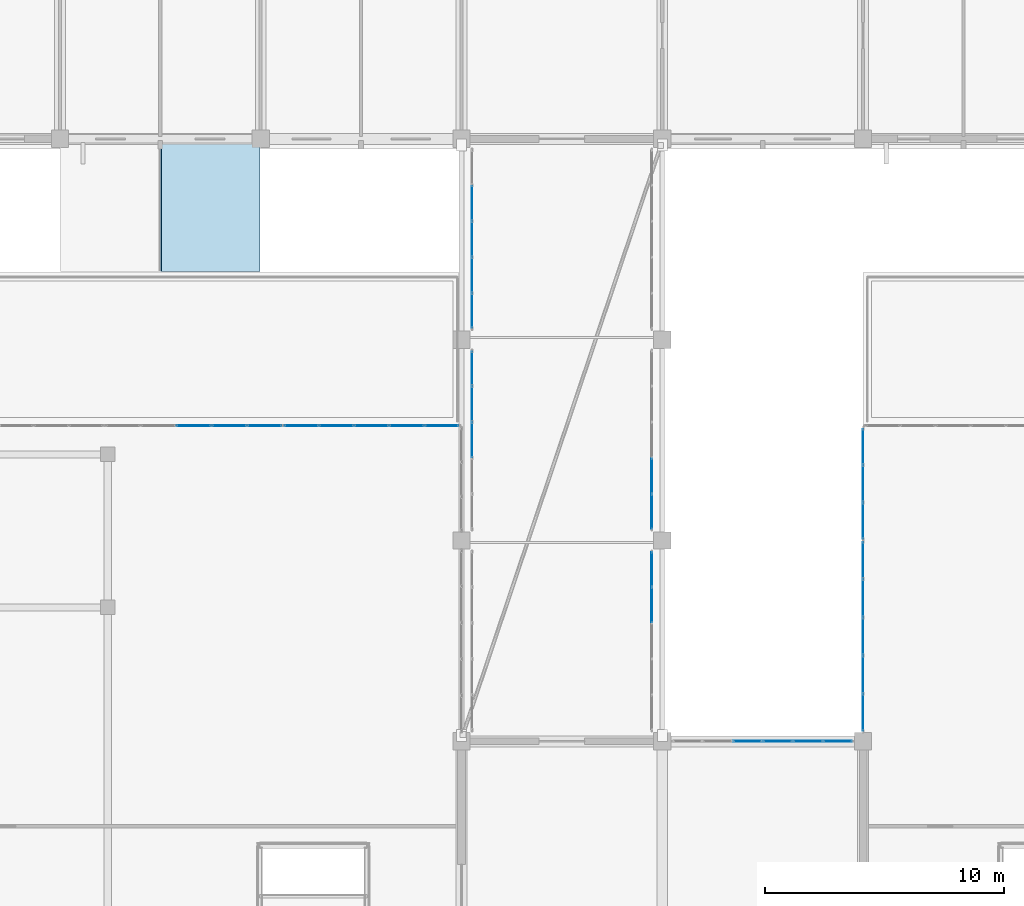
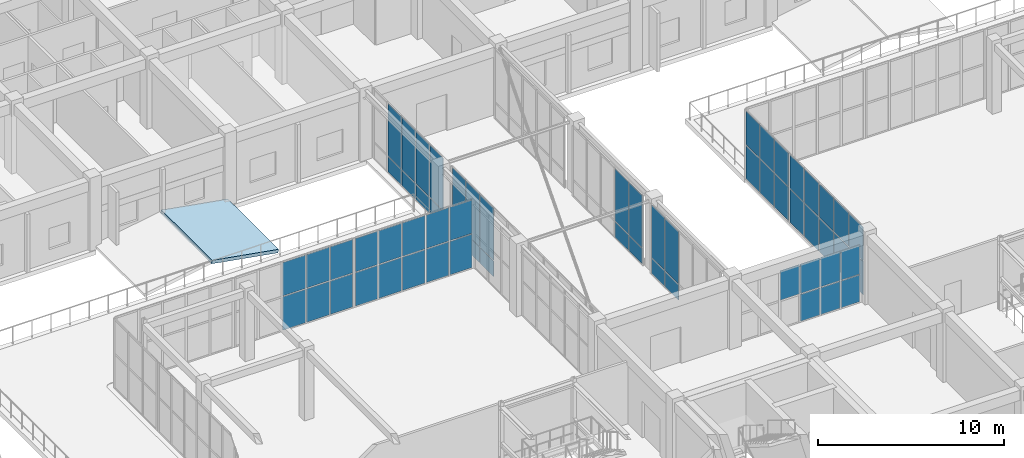
# One storey, part 108 of 158: 61 plates, 1 slab, 9 elements without a shape of their own.
"""IFC4 building model written with IfcOpenShell, lengths in metres."""

import ifcopenshell
import ifcopenshell.guid

model = None  # the IFC model being written
_history = None  # IfcOwnerHistory: only IFC2X3 demands one
_inside = {}  # id of a spatial element -> (the spatial element, [elements in it])
_under = {}  # id of a project, library or spatial element -> (it, [spatial elements below it])
_declared = {}  # id of a project -> (the project, [libraries it declares])
_typed = {}  # id of a type object -> (the type object, [elements of that type])
_made_of = {}  # id of a material, layer set ... -> (it, [elements and type objects made of it])


def new_model(schema):
    """Start an empty IFC model of exactly this schema.

    Asked for "IFC4X3", IfcOpenShell would pick the latest addendum, in which some entities
    have other attributes; the version numbers below select the first issue.
    IFC2X3 requires an IfcOwnerHistory on every rooted entity: one is made here for all.
    """
    global model, _history
    if schema == "IFC4X3":
        model = ifcopenshell.file(schema_version=(4, 3, 0, 0))
    else:
        model = ifcopenshell.file(schema=schema)
    _inside.clear()
    _under.clear()
    _declared.clear()
    _typed.clear()
    _made_of.clear()
    _history = None
    if model.schema == "IFC2X3":
        org = make("IfcOrganization", Name="unknown")
        user = make(
            "IfcPersonAndOrganization",
            ThePerson=make("IfcPerson", FamilyName="unknown"),
            TheOrganization=org,
        )
        app = make(
            "IfcApplication",
            ApplicationDeveloper=org,
            Version="unknown",
            ApplicationFullName="unknown",
            ApplicationIdentifier="unknown",
        )
        _history = make(
            "IfcOwnerHistory",
            OwningUser=user,
            OwningApplication=app,
            ChangeAction="ADDED",
            CreationDate=0,
        )
    return model


def make(cls, **values):
    """One entity of the class cls with the attributes given. An attribute that is None is left unset."""
    return model.create_entity(
        cls, **{name: value for name, value in values.items() if value is not None}
    )


def rooted(cls, **values):
    """An entity with a GlobalId (a new one), such as an element, a storey or a relation."""
    return make(cls, GlobalId=ifcopenshell.guid.new(), OwnerHistory=_history, **values)


def si_unit(unit_type, name, prefix=None):
    """IfcSIUnit, for example si_unit("LENGTHUNIT", "METRE", prefix="MILLI")."""
    return make("IfcSIUnit", UnitType=unit_type, Prefix=prefix, Name=name)


def assignment(units):
    """IfcUnitAssignment: the units of a project."""
    return None if units is None else make("IfcUnitAssignment", Units=units)


def point(xyz):
    """IfcCartesianPoint."""
    return None if xyz is None else make("IfcCartesianPoint", Coordinates=xyz)


def direction(xyz):
    """IfcDirection."""
    return None if xyz is None else make("IfcDirection", DirectionRatios=xyz)


def frame(location, z_axis=None, x_axis=None):
    """IfcAxis2Placement3D, a coordinate frame: its origin and axes. An axis left out is left unset."""
    return make(
        "IfcAxis2Placement3D",
        Location=point(location),
        Axis=direction(z_axis),
        RefDirection=direction(x_axis),
    )


def frame_2d(location, x_axis=None):
    """IfcAxis2Placement2D, a coordinate frame in the plane: its origin and x axis."""
    return make(
        "IfcAxis2Placement2D", Location=point(location), RefDirection=direction(x_axis)
    )


def origin():
    """The frame at (0, 0, 0) with its axes left unset."""
    return frame((0.0, 0.0, 0.0))


def origin_2d():
    """The frame at (0, 0) in the plane with its x axis left unset."""
    return frame_2d((0.0, 0.0))


def place(relative_to, where):
    """IfcLocalPlacement: puts the frame where relative to a parent placement (None: the world)."""
    return make(
        "IfcLocalPlacement", PlacementRelTo=relative_to, RelativePlacement=where
    )


def context(
    kind, dimensions, precision=None, world=None, true_north=None, identifier=None
):
    """IfcGeometricRepresentationContext, for example the 3D "Model" context."""
    return make(
        "IfcGeometricRepresentationContext",
        ContextIdentifier=identifier,
        ContextType=kind,
        CoordinateSpaceDimension=dimensions,
        Precision=precision,
        WorldCoordinateSystem=world,
        TrueNorth=true_north,
    )


def subcontext(parent, identifier, kind, view, scale=None):
    """IfcGeometricRepresentationSubContext, for example "Body" below "Model"."""
    return make(
        "IfcGeometricRepresentationSubContext",
        ContextIdentifier=identifier,
        ContextType=kind,
        ParentContext=parent,
        TargetScale=scale,
        TargetView=view,
    )


def project(units=None, contexts=None):
    """IfcProject with its units and contexts."""
    return rooted(
        "IfcProject",
        Name="project",
        RepresentationContexts=contexts,
        UnitsInContext=assignment(units),
    )


def spatial(cls, under=None, at=None, **own):
    """A site, building, storey or space (cls), placed at a placement, below another one or the project."""
    s = rooted(cls, ObjectPlacement=at, **own)
    if under is not None:
        _under.setdefault(under.id(), (under, []))[1].append(s)
    return s


def polyline(points):
    """IfcPolyline through the points."""
    return make("IfcPolyline", Points=[point(p) for p in points])


def profile(cls, at=None, kind="AREA", **sizes):
    """A parametric profile (cls). Its sizes go by their IFC names, for example OverallWidth=200.0."""
    return make(cls, ProfileType=kind, Position=at, **sizes)


def rectangle(**sizes):
    """IfcRectangleProfileDef."""
    return profile("IfcRectangleProfileDef", **sizes)


def outline(outer, holes=None, kind="AREA"):
    """IfcArbitraryClosedProfileDef: a profile drawn as a closed curve; with holes, ...WithVoids."""
    if holes is None:
        return make("IfcArbitraryClosedProfileDef", ProfileType=kind, OuterCurve=outer)
    return make(
        "IfcArbitraryProfileDefWithVoids",
        ProfileType=kind,
        OuterCurve=outer,
        InnerCurves=holes,
    )


def extrude(swept, where, along, depth):
    """IfcExtrudedAreaSolid: the profile swept, set in the frame where, extruded along a direction by depth."""
    return make(
        "IfcExtrudedAreaSolid",
        SweptArea=swept,
        Position=where,
        ExtrudedDirection=direction(along),
        Depth=depth,
    )


def shape(context_of_items, identifier, shape_type, items):
    """IfcShapeRepresentation: the items that make up one representation, for example the "Body"."""
    return make(
        "IfcShapeRepresentation",
        ContextOfItems=context_of_items,
        RepresentationIdentifier=identifier,
        RepresentationType=shape_type,
        Items=items,
    )


def material(Name=None, Category=None):
    """IfcMaterial."""
    return make("IfcMaterial", Name=Name, Category=Category)


def layer(
    of_material, thickness, ventilated=None, Name=None, Category=None, Priority=None
):
    """IfcMaterialLayer: one layer of a wall or slab, of a material (None: an air gap)."""
    return make(
        "IfcMaterialLayer",
        Material=of_material,
        LayerThickness=thickness,
        IsVentilated=ventilated,
        Name=Name,
        Category=Category,
        Priority=Priority,
    )


def layer_set(layers, Name=None):
    """IfcMaterialLayerSet."""
    return make("IfcMaterialLayerSet", MaterialLayers=layers, LayerSetName=Name)


def made_of(thing, what):
    """Note that an element or type object is made of a material, layer set ...; save() writes the relation."""
    if what is not None:
        _made_of.setdefault(what.id(), (what, []))[1].append(thing)
    return thing


def type_object(cls, material=None, **own):
    """A type object (cls), such as IfcWallType, which elements share."""
    return made_of(rooted(cls, **own), material)


def element(
    cls,
    number,
    at=None,
    inside=None,
    cuts=None,
    type_object=None,
    material=None,
    context=None,
    identifier="Body",
    shape_type=None,
    held_by="IfcProductDefinitionShape",
    body=None,
    shapes=None,
    **own,
):
    """One element of the class cls, such as IfcWall. Its Tag is "e" and its number.

    at: its placement. inside: the storey or other place that contains it. cuts: it is an
    opening in that element (IfcRelVoidsElement). A single representation is given by context,
    identifier, shape_type and body (its items); several are given by shapes. held_by: the class
    of the entity that holds the representations. save() writes the other relations.
    """
    e = rooted(cls, Tag="e%d" % number, ObjectPlacement=at, **own)
    if body is not None:
        shapes = [shape(context, identifier, shape_type, body)]
    if shapes is not None:
        e.Representation = make(held_by, Representations=shapes)
    if inside is not None:
        _inside.setdefault(inside.id(), (inside, []))[1].append(e)
    if cuts is not None:
        rooted(
            "IfcRelVoidsElement", RelatingBuildingElement=cuts, RelatedOpeningElement=e
        )
    if type_object is not None:
        _typed.setdefault(type_object.id(), (type_object, []))[1].append(e)
    return made_of(e, material)


def aggregate(whole, parts):
    """IfcRelAggregates: a whole, such as a stair, and the parts it consists of."""
    return rooted("IfcRelAggregates", RelatingObject=whole, RelatedObjects=parts)


def save(model, path):
    """Write the relations noted so far, then the file.

    IfcRelAggregates (storeys below a building ...), IfcRelContainedInSpatialStructure (elements
    in a storey), IfcRelDefinesByType, IfcRelAssociatesMaterial and IfcRelDeclares: one each for
    every whole, place, type object, material and project.
    """
    for whole, parts in _under.values():
        aggregate(whole, parts)
    for where, things in _inside.values():
        rooted(
            "IfcRelContainedInSpatialStructure",
            RelatedElements=things,
            RelatingStructure=where,
        )
    for kind, things in _typed.values():
        rooted("IfcRelDefinesByType", RelatedObjects=things, RelatingType=kind)
    for what, things in _made_of.values():
        rooted("IfcRelAssociatesMaterial", RelatedObjects=things, RelatingMaterial=what)
    for by, libraries in _declared.values():
        rooted("IfcRelDeclares", RelatingContext=by, RelatedDefinitions=libraries)
    model.write(path)


model = new_model("IFC4")

# Units and contexts
model_context = context("Model", 3, precision=1e-05, world=origin(), true_north=direction((0.0, 1.0)))
body_context = subcontext(model_context, "Body", "Model", "MODEL_VIEW")
ifc_project = project(units=[si_unit("LENGTHUNIT", "METRE"), si_unit("AREAUNIT", "SQUARE_METRE"), si_unit("VOLUMEUNIT", "CUBIC_METRE"), si_unit("PLANEANGLEUNIT", "RADIAN"), si_unit("MASSUNIT", "GRAM", prefix="KILO")], contexts=[model_context])

# Site, building, storey
site_placement = place(None, origin())
site = spatial("IfcSite", under=ifc_project, at=site_placement, CompositionType="ELEMENT")
building_placement = place(site_placement, origin())
building = spatial("IfcBuilding", under=site, at=building_placement, Name="Trelvath General Hospital", CompositionType="ELEMENT")
storey_placement = place(building_placement, frame((0.0, 0.0, 8.10009765625)))
storey = spatial("IfcBuildingStorey", under=building, at=storey_placement, Name="L02", CompositionType="ELEMENT", Elevation=8.10009765625)

# Curtain wall, plates
ifc_material_1 = material(Name="Anodised aluminium and low-E glass", Category="aluminium")
ifc_layer_1 = layer(ifc_material_1, 0.139892578125)
ifc_layer_set_1 = layer_set([ifc_layer_1], Name="Anodised aluminium and low-E glass")
curtain_wall_type_1 = type_object("IfcCurtainWallType", Name="CW CrystalCube 743 456 14", PredefinedType="USERDEFINED", material=ifc_layer_set_1)
curtain_wall_1_placement = place(storey_placement, origin())
curtain_wall_1 = element("IfcCurtainWall", 1, at=curtain_wall_1_placement, inside=storey, type_object=curtain_wall_type_1, Name="Crystal Cube Curtain Wall CUBE-W-T1 N2 L02", ObjectType="Unitised Glazed Curtain Wall", PredefinedType="USERDEFINED")
ifc_material_2 = material(Name="Low-E laminated glass", Category="glass")
ifc_layer_2 = layer(ifc_material_2, 0.028076171875)
ifc_layer_set_2 = layer_set([ifc_layer_2], Name="Low-E laminated glass")
plate_type_1 = type_object("IfcPlateType", Name="CurtainPanel Glass28", PredefinedType="CURTAIN_PANEL", material=ifc_layer_set_2)
plate_1_placement = place(storey_placement, frame((64.39990234375, 80.39990234375, 0.059814453125), z_axis=(0.0, 0.0, 1.0), x_axis=(1.0, 0.0, 0.0)))
plate_1 = element("IfcPlate", 2, at=plate_1_placement, type_object=plate_type_1, Name="CW-194 panel 3.1", PredefinedType="CURTAIN_PANEL", context=body_context, shape_type="SweptSolid", body=[
    extrude(rectangle(XDim=1.42529296875, YDim=0.028076171875, at=origin_2d()), origin(), (0.0, 0.0, 1.0), 2.18994140625),
])
plate_2_placement = place(storey_placement, frame((64.39990234375, 80.39990234375, 2.309814453125), z_axis=(0.0, 0.0, 1.0), x_axis=(1.0, 0.0, 0.0)))
plate_2 = element("IfcPlate", 3, at=plate_2_placement, type_object=plate_type_1, Name="CW-194 panel 3.2", PredefinedType="CURTAIN_PANEL", context=body_context, shape_type="SweptSolid", body=[
    extrude(rectangle(XDim=1.42529296875, YDim=0.028076171875, at=origin_2d()), origin(), (0.0, 0.0, 1.0), 2.18994140625),
])
plate_3_placement = place(storey_placement, frame((65.88525390625, 80.39990234375, 0.059814453125), z_axis=(0.0, 0.0, 1.0), x_axis=(1.0, 0.0, 0.0)))
plate_3 = element("IfcPlate", 4, at=plate_3_placement, type_object=plate_type_1, Name="CW-194 panel 4.1", PredefinedType="CURTAIN_PANEL", context=body_context, shape_type="SweptSolid", body=[
    extrude(rectangle(XDim=1.42529296875, YDim=0.028076171875, at=origin_2d()), origin(), (0.0, 0.0, 1.0), 2.18994140625),
])
plate_4_placement = place(storey_placement, frame((65.88525390625, 80.39990234375, 2.309814453125), z_axis=(0.0, 0.0, 1.0), x_axis=(1.0, 0.0, 0.0)))
plate_4 = element("IfcPlate", 5, at=plate_4_placement, type_object=plate_type_1, Name="CW-194 panel 4.2", PredefinedType="CURTAIN_PANEL", context=body_context, shape_type="SweptSolid", body=[
    extrude(rectangle(XDim=1.42529296875, YDim=0.028076171875, at=origin_2d()), origin(), (0.0, 0.0, 1.0), 2.18994140625),
])
plate_5_placement = place(storey_placement, frame((67.355712890625, 80.39990234375, 0.059814453125), z_axis=(0.0, 0.0, 1.0), x_axis=(1.0, 0.0, 0.0)))
plate_5 = element("IfcPlate", 6, at=plate_5_placement, type_object=plate_type_1, Name="CW-194 panel 5.1", PredefinedType="CURTAIN_PANEL", context=body_context, shape_type="SweptSolid", body=[
    extrude(rectangle(XDim=1.395263671875, YDim=0.028076171875, at=origin_2d()), origin(), (0.0, 0.0, 1.0), 2.18994140625),
])
plate_6_placement = place(storey_placement, frame((67.355712890625, 80.39990234375, 2.309814453125), z_axis=(0.0, 0.0, 1.0), x_axis=(1.0, 0.0, 0.0)))
plate_6 = element("IfcPlate", 7, at=plate_6_placement, type_object=plate_type_1, Name="CW-194 panel 5.2", PredefinedType="CURTAIN_PANEL", context=body_context, shape_type="SweptSolid", body=[
    extrude(rectangle(XDim=1.395263671875, YDim=0.028076171875, at=origin_2d()), origin(), (0.0, 0.0, 1.0), 2.18994140625),
])
aggregate(curtain_wall_1, [plate_1, plate_2, plate_3, plate_4, plate_5, plate_6])

ifc_material_3 = material(Name="Anodised aluminium and low-E glass", Category="aluminium")
ifc_layer_3 = layer(ifc_material_3, 0.139892578125)
ifc_layer_set_3 = layer_set([ifc_layer_3], Name="Anodised aluminium and low-E glass")
curtain_wall_type_2 = type_object("IfcCurtainWallType", Name="CW CrystalCube 737 456 14", PredefinedType="USERDEFINED", material=ifc_layer_set_3)
curtain_wall_2_placement = place(storey_placement, origin())
curtain_wall_2 = element("IfcCurtainWall", 8, at=curtain_wall_2_placement, inside=storey, type_object=curtain_wall_type_2, Name="Crystal Cube Curtain Wall CUBE-W-T1 N3 L02", ObjectType="Unitised Glazed Curtain Wall", PredefinedType="USERDEFINED")
plate_7_placement = place(storey_placement, frame((68.905029296875, 80.39990234375, 0.059814453125), z_axis=(0.0, 0.0, 1.0), x_axis=(1.0, 0.0, 0.0)))
plate_7 = element("IfcPlate", 9, at=plate_7_placement, type_object=plate_type_1, Name="CW-195 panel 1.1", PredefinedType="CURTAIN_PANEL", context=body_context, shape_type="SweptSolid", body=[
    extrude(rectangle(XDim=1.38330078125, YDim=0.028076171875, at=origin_2d()), origin(), (0.0, 0.0, 1.0), 2.18994140625),
])
plate_8_placement = place(storey_placement, frame((68.905029296875, 80.39990234375, 2.309814453125), z_axis=(0.0, 0.0, 1.0), x_axis=(1.0, 0.0, 0.0)))
plate_8 = element("IfcPlate", 10, at=plate_8_placement, type_object=plate_type_1, Name="CW-195 panel 1.2", PredefinedType="CURTAIN_PANEL", context=body_context, shape_type="SweptSolid", body=[
    extrude(rectangle(XDim=1.38330078125, YDim=0.028076171875, at=origin_2d()), origin(), (0.0, 0.0, 1.0), 2.18994140625),
])
plate_9_placement = place(storey_placement, frame((70.36328125, 80.39990234375, 0.059814453125), z_axis=(0.0, 0.0, 1.0), x_axis=(1.0, 0.0, 0.0)))
plate_9 = element("IfcPlate", 11, at=plate_9_placement, type_object=plate_type_1, Name="CW-195 panel 2.1", PredefinedType="CURTAIN_PANEL", context=body_context, shape_type="SweptSolid", body=[
    extrude(rectangle(XDim=1.413330078125, YDim=0.028076171875, at=origin_2d()), origin(), (0.0, 0.0, 1.0), 2.18994140625),
])
plate_10_placement = place(storey_placement, frame((70.36328125, 80.39990234375, 2.309814453125), z_axis=(0.0, 0.0, 1.0), x_axis=(1.0, 0.0, 0.0)))
plate_10 = element("IfcPlate", 12, at=plate_10_placement, type_object=plate_type_1, Name="CW-195 panel 2.2", PredefinedType="CURTAIN_PANEL", context=body_context, shape_type="SweptSolid", body=[
    extrude(rectangle(XDim=1.413330078125, YDim=0.028076171875, at=origin_2d()), origin(), (0.0, 0.0, 1.0), 2.18994140625),
])
plate_11_placement = place(storey_placement, frame((71.836669921875, 80.39990234375, 0.059814453125), z_axis=(0.0, 0.0, 1.0), x_axis=(1.0, 0.0, 0.0)))
plate_11 = element("IfcPlate", 13, at=plate_11_placement, type_object=plate_type_1, Name="CW-195 panel 3.1", PredefinedType="CURTAIN_PANEL", context=body_context, shape_type="SweptSolid", body=[
    extrude(rectangle(XDim=1.413330078125, YDim=0.028076171875, at=origin_2d()), origin(), (0.0, 0.0, 1.0), 2.18994140625),
])
plate_12_placement = place(storey_placement, frame((71.836669921875, 80.39990234375, 2.309814453125), z_axis=(0.0, 0.0, 1.0), x_axis=(1.0, 0.0, 0.0)))
plate_12 = element("IfcPlate", 14, at=plate_12_placement, type_object=plate_type_1, Name="CW-195 panel 3.2", PredefinedType="CURTAIN_PANEL", context=body_context, shape_type="SweptSolid", body=[
    extrude(rectangle(XDim=1.413330078125, YDim=0.028076171875, at=origin_2d()), origin(), (0.0, 0.0, 1.0), 2.18994140625),
])
plate_13_placement = place(storey_placement, frame((73.31005859375, 80.39990234375, 0.059814453125), z_axis=(0.0, 0.0, 1.0), x_axis=(1.0, 0.0, 0.0)))
plate_13 = element("IfcPlate", 15, at=plate_13_placement, type_object=plate_type_1, Name="CW-195 panel 4.1", PredefinedType="CURTAIN_PANEL", context=body_context, shape_type="SweptSolid", body=[
    extrude(rectangle(XDim=1.413330078125, YDim=0.028076171875, at=origin_2d()), origin(), (0.0, 0.0, 1.0), 2.18994140625),
])
plate_14_placement = place(storey_placement, frame((73.31005859375, 80.39990234375, 2.309814453125), z_axis=(0.0, 0.0, 1.0), x_axis=(1.0, 0.0, 0.0)))
plate_14 = element("IfcPlate", 16, at=plate_14_placement, type_object=plate_type_1, Name="CW-195 panel 4.2", PredefinedType="CURTAIN_PANEL", context=body_context, shape_type="SweptSolid", body=[
    extrude(rectangle(XDim=1.413330078125, YDim=0.028076171875, at=origin_2d()), origin(), (0.0, 0.0, 1.0), 2.18994140625),
])
plate_15_placement = place(storey_placement, frame((74.768310546875, 80.39990234375, 0.059814453125), z_axis=(0.0, 0.0, 1.0), x_axis=(1.0, 0.0, 0.0)))
plate_15 = element("IfcPlate", 17, at=plate_15_placement, type_object=plate_type_1, Name="CW-195 panel 5.1", PredefinedType="CURTAIN_PANEL", context=body_context, shape_type="SweptSolid", body=[
    extrude(rectangle(XDim=1.38330078125, YDim=0.028076171875, at=origin_2d()), origin(), (0.0, 0.0, 1.0), 2.18994140625),
])
plate_16_placement = place(storey_placement, frame((74.768310546875, 80.39990234375, 2.309814453125), z_axis=(0.0, 0.0, 1.0), x_axis=(1.0, 0.0, 0.0)))
plate_16 = element("IfcPlate", 18, at=plate_16_placement, type_object=plate_type_1, Name="CW-195 panel 5.2", PredefinedType="CURTAIN_PANEL", context=body_context, shape_type="SweptSolid", body=[
    extrude(rectangle(XDim=1.38330078125, YDim=0.028076171875, at=origin_2d()), origin(), (0.0, 0.0, 1.0), 2.18994140625),
])
aggregate(curtain_wall_2, [plate_7, plate_8, plate_9, plate_10, plate_11, plate_12, plate_13, plate_14, plate_15, plate_16])

ifc_material_4 = material(Name="Anodised aluminium and low-E glass", Category="aluminium")
ifc_layer_4 = layer(ifc_material_4, 0.139892578125)
ifc_layer_set_4 = layer_set([ifc_layer_4], Name="Anodised aluminium and low-E glass")
curtain_wall_type_3 = type_object("IfcCurtainWallType", Name="CW CrystalCube 799 456 14", PredefinedType="USERDEFINED", material=ifc_layer_set_4)
curtain_wall_3_placement = place(storey_placement, origin())
curtain_wall_3 = element("IfcCurtainWall", 19, at=curtain_wall_3_placement, inside=storey, type_object=curtain_wall_type_3, Name="Crystal Cube Curtain Wall CUBE-E-T1 W6 L02", ObjectType="Unitised Glazed Curtain Wall", PredefinedType="USERDEFINED")
plate_17_placement = place(storey_placement, frame((92.39990234375, 68.404052734375, 0.059814453125), z_axis=(0.0, 0.0, 1.0), x_axis=(0.0, 1.0, 0.0)))
plate_17 = element("IfcPlate", 20, at=plate_17_placement, type_object=plate_type_1, Name="CW-217 panel 1.1", PredefinedType="CURTAIN_PANEL", context=body_context, shape_type="SweptSolid", body=[
    extrude(rectangle(XDim=1.508056640625, YDim=0.028076171875, at=origin_2d()), origin(), (0.0, 0.0, 1.0), 2.18994140625),
])
plate_18_placement = place(storey_placement, frame((92.39990234375, 68.404052734375, 2.309814453125), z_axis=(0.0, 0.0, 1.0), x_axis=(0.0, 1.0, 0.0)))
plate_18 = element("IfcPlate", 21, at=plate_18_placement, type_object=plate_type_1, Name="CW-217 panel 1.2", PredefinedType="CURTAIN_PANEL", context=body_context, shape_type="SweptSolid", body=[
    extrude(rectangle(XDim=1.508056640625, YDim=0.028076171875, at=origin_2d()), origin(), (0.0, 0.0, 1.0), 2.18994140625),
])
plate_19_placement = place(storey_placement, frame((92.39990234375, 69.987060546875, 0.059814453125), z_axis=(0.0, 0.0, 1.0), x_axis=(0.0, 1.0, 0.0)))
plate_19 = element("IfcPlate", 22, at=plate_19_placement, type_object=plate_type_1, Name="CW-217 panel 2.1", PredefinedType="CURTAIN_PANEL", context=body_context, shape_type="SweptSolid", body=[
    extrude(rectangle(XDim=1.5380859375, YDim=0.028076171875, at=origin_2d()), origin(), (0.0, 0.0, 1.0), 2.18994140625),
])
plate_20_placement = place(storey_placement, frame((92.39990234375, 69.987060546875, 2.309814453125), z_axis=(0.0, 0.0, 1.0), x_axis=(0.0, 1.0, 0.0)))
plate_20 = element("IfcPlate", 23, at=plate_20_placement, type_object=plate_type_1, Name="CW-217 panel 2.2", PredefinedType="CURTAIN_PANEL", context=body_context, shape_type="SweptSolid", body=[
    extrude(rectangle(XDim=1.5380859375, YDim=0.028076171875, at=origin_2d()), origin(), (0.0, 0.0, 1.0), 2.18994140625),
])
plate_21_placement = place(storey_placement, frame((92.39990234375, 71.5849609375, 0.059814453125), z_axis=(0.0, 0.0, 1.0), x_axis=(0.0, 1.0, 0.0)))
plate_21 = element("IfcPlate", 24, at=plate_21_placement, type_object=plate_type_1, Name="CW-217 panel 3.1", PredefinedType="CURTAIN_PANEL", context=body_context, shape_type="SweptSolid", body=[
    extrude(rectangle(XDim=1.5380859375, YDim=0.028076171875, at=origin_2d()), origin(), (0.0, 0.0, 1.0), 2.18994140625),
])
plate_22_placement = place(storey_placement, frame((92.39990234375, 71.5849609375, 2.309814453125), z_axis=(0.0, 0.0, 1.0), x_axis=(0.0, 1.0, 0.0)))
plate_22 = element("IfcPlate", 25, at=plate_22_placement, type_object=plate_type_1, Name="CW-217 panel 3.2", PredefinedType="CURTAIN_PANEL", context=body_context, shape_type="SweptSolid", body=[
    extrude(rectangle(XDim=1.5380859375, YDim=0.028076171875, at=origin_2d()), origin(), (0.0, 0.0, 1.0), 2.18994140625),
])
plate_23_placement = place(storey_placement, frame((92.39990234375, 73.18310546875, 0.059814453125), z_axis=(0.0, 0.0, 1.0), x_axis=(0.0, 1.0, 0.0)))
plate_23 = element("IfcPlate", 26, at=plate_23_placement, type_object=plate_type_1, Name="CW-217 panel 4.1", PredefinedType="CURTAIN_PANEL", context=body_context, shape_type="SweptSolid", body=[
    extrude(rectangle(XDim=1.5380859375, YDim=0.028076171875, at=origin_2d()), origin(), (0.0, 0.0, 1.0), 2.18994140625),
])
plate_24_placement = place(storey_placement, frame((92.39990234375, 73.18310546875, 2.309814453125), z_axis=(0.0, 0.0, 1.0), x_axis=(0.0, 1.0, 0.0)))
plate_24 = element("IfcPlate", 27, at=plate_24_placement, type_object=plate_type_1, Name="CW-217 panel 4.2", PredefinedType="CURTAIN_PANEL", context=body_context, shape_type="SweptSolid", body=[
    extrude(rectangle(XDim=1.5380859375, YDim=0.028076171875, at=origin_2d()), origin(), (0.0, 0.0, 1.0), 2.18994140625),
])
plate_25_placement = place(storey_placement, frame((92.39990234375, 74.76611328125, 0.059814453125), z_axis=(0.0, 0.0, 1.0), x_axis=(0.0, 1.0, 0.0)))
plate_25 = element("IfcPlate", 28, at=plate_25_placement, type_object=plate_type_1, Name="CW-217 panel 5.1", PredefinedType="CURTAIN_PANEL", context=body_context, shape_type="SweptSolid", body=[
    extrude(rectangle(XDim=1.508056640625, YDim=0.028076171875, at=origin_2d()), origin(), (0.0, 0.0, 1.0), 2.18994140625),
])
plate_26_placement = place(storey_placement, frame((92.39990234375, 74.76611328125, 2.309814453125), z_axis=(0.0, 0.0, 1.0), x_axis=(0.0, 1.0, 0.0)))
plate_26 = element("IfcPlate", 29, at=plate_26_placement, type_object=plate_type_1, Name="CW-217 panel 5.2", PredefinedType="CURTAIN_PANEL", context=body_context, shape_type="SweptSolid", body=[
    extrude(rectangle(XDim=1.508056640625, YDim=0.028076171875, at=origin_2d()), origin(), (0.0, 0.0, 1.0), 2.18994140625),
])
aggregate(curtain_wall_3, [plate_17, plate_18, plate_19, plate_20, plate_21, plate_22, plate_23, plate_24, plate_25, plate_26])

ifc_material_5 = material(Name="Anodised aluminium and low-E glass", Category="aluminium")
ifc_layer_5 = layer(ifc_material_5, 0.139892578125)
ifc_layer_set_5 = layer_set([ifc_layer_5], Name="Anodised aluminium and low-E glass")
curtain_wall_type_4 = type_object("IfcCurtainWallType", Name="CW CrystalCube 470 456 14", PredefinedType="USERDEFINED", material=ifc_layer_set_5)
curtain_wall_4_placement = place(storey_placement, origin())
curtain_wall_4 = element("IfcCurtainWall", 30, at=curtain_wall_4_placement, inside=storey, type_object=curtain_wall_type_4, Name="Crystal Cube Curtain Wall CUBE-E-T1 W7 L02", ObjectType="Unitised Glazed Curtain Wall", PredefinedType="USERDEFINED")
plate_27_placement = place(storey_placement, frame((92.39990234375, 76.418212890625, 0.059814453125), z_axis=(0.0, 0.0, 1.0), x_axis=(0.0, 1.0, 0.0)))
plate_27 = element("IfcPlate", 31, at=plate_27_placement, type_object=plate_type_1, Name="CW-219 panel 1.1", PredefinedType="CURTAIN_PANEL", context=body_context, shape_type="SweptSolid", body=[
    extrude(rectangle(XDim=1.4765625, YDim=0.028076171875, at=origin_2d()), origin(), (0.0, 0.0, 1.0), 2.18994140625),
])
plate_28_placement = place(storey_placement, frame((92.39990234375, 76.418212890625, 2.309814453125), z_axis=(0.0, 0.0, 1.0), x_axis=(0.0, 1.0, 0.0)))
plate_28 = element("IfcPlate", 32, at=plate_28_placement, type_object=plate_type_1, Name="CW-219 panel 1.2", PredefinedType="CURTAIN_PANEL", context=body_context, shape_type="SweptSolid", body=[
    extrude(rectangle(XDim=1.4765625, YDim=0.028076171875, at=origin_2d()), origin(), (0.0, 0.0, 1.0), 2.18994140625),
])
plate_29_placement = place(storey_placement, frame((92.39990234375, 77.969970703125, 0.059814453125), z_axis=(0.0, 0.0, 1.0), x_axis=(0.0, 1.0, 0.0)))
plate_29 = element("IfcPlate", 33, at=plate_29_placement, type_object=plate_type_1, Name="CW-219 panel 2.1", PredefinedType="CURTAIN_PANEL", context=body_context, shape_type="SweptSolid", body=[
    extrude(rectangle(XDim=1.506591796875, YDim=0.028076171875, at=origin_2d()), origin(), (0.0, 0.0, 1.0), 2.18994140625),
])
plate_30_placement = place(storey_placement, frame((92.39990234375, 77.969970703125, 2.309814453125), z_axis=(0.0, 0.0, 1.0), x_axis=(0.0, 1.0, 0.0)))
plate_30 = element("IfcPlate", 34, at=plate_30_placement, type_object=plate_type_1, Name="CW-219 panel 2.2", PredefinedType="CURTAIN_PANEL", context=body_context, shape_type="SweptSolid", body=[
    extrude(rectangle(XDim=1.506591796875, YDim=0.028076171875, at=origin_2d()), origin(), (0.0, 0.0, 1.0), 2.18994140625),
])
plate_31_placement = place(storey_placement, frame((92.39990234375, 79.521728515625, 0.059814453125), z_axis=(0.0, 0.0, 1.0), x_axis=(0.0, 1.0, 0.0)))
plate_31 = element("IfcPlate", 35, at=plate_31_placement, type_object=plate_type_1, Name="CW-219 panel 3.1", PredefinedType="CURTAIN_PANEL", context=body_context, shape_type="SweptSolid", body=[
    extrude(rectangle(XDim=1.4765625, YDim=0.028076171875, at=origin_2d()), origin(), (0.0, 0.0, 1.0), 2.18994140625),
])
plate_32_placement = place(storey_placement, frame((92.39990234375, 79.521728515625, 2.309814453125), z_axis=(0.0, 0.0, 1.0), x_axis=(0.0, 1.0, 0.0)))
plate_32 = element("IfcPlate", 36, at=plate_32_placement, type_object=plate_type_1, Name="CW-219 panel 3.2", PredefinedType="CURTAIN_PANEL", context=body_context, shape_type="SweptSolid", body=[
    extrude(rectangle(XDim=1.4765625, YDim=0.028076171875, at=origin_2d()), origin(), (0.0, 0.0, 1.0), 2.18994140625),
])
aggregate(curtain_wall_4, [plate_27, plate_28, plate_29, plate_30, plate_31, plate_32])

ifc_material_6 = material(Name="Anodised aluminium and low-E glass", Category="aluminium")
ifc_layer_6 = layer(ifc_material_6, 0.139892578125)
ifc_layer_set_6 = layer_set([ifc_layer_6], Name="Anodised aluminium and low-E glass")
curtain_wall_type_5 = type_object("IfcCurtainWallType", Name="CW Bridge 752 461", PredefinedType="USERDEFINED", material=ifc_layer_set_6)
curtain_wall_5_placement = place(storey_placement, origin())
curtain_wall_5 = element("IfcCurtainWall", 37, at=curtain_wall_5_placement, inside=storey, type_object=curtain_wall_type_5, Name="Glazed Bridge Curtain Wall BRG-N-C E L02", ObjectType="Unitised Glazed Curtain Wall", PredefinedType="USERDEFINED")
plate_33_placement = place(storey_placement, frame((83.56005859375, 74.39306640625, 0.06005859375), z_axis=(0.0, 0.0, 1.0), x_axis=(0.0, -1.0, 0.0)))
plate_33 = element("IfcPlate", 38, at=plate_33_placement, type_object=plate_type_1, Name="CW-221 panel 1.1", PredefinedType="CURTAIN_PANEL", context=body_context, shape_type="SweptSolid", body=[
    extrude(rectangle(XDim=1.4140625, YDim=0.028076171875, at=origin_2d()), origin(), (0.0, 0.0, 1.0), 1.010009765625),
])
plate_34_placement = place(storey_placement, frame((83.56005859375, 74.39306640625, 1.1298828125), z_axis=(0.0, 0.0, 1.0), x_axis=(0.0, -1.0, 0.0)))
plate_34 = element("IfcPlate", 39, at=plate_34_placement, type_object=plate_type_1, Name="CW-221 panel 1.2", PredefinedType="CURTAIN_PANEL", context=body_context, shape_type="SweptSolid", body=[
    extrude(rectangle(XDim=1.4140625, YDim=0.028076171875, at=origin_2d()), origin(), (0.0, 0.0, 1.0), 3.419921875),
])
plate_35_placement = place(storey_placement, frame((83.56005859375, 72.904052734375, 0.06005859375), z_axis=(0.0, 0.0, 1.0), x_axis=(0.0, -1.0, 0.0)))
plate_35 = element("IfcPlate", 40, at=plate_35_placement, type_object=plate_type_1, Name="CW-221 panel 2.1", PredefinedType="CURTAIN_PANEL", context=body_context, shape_type="SweptSolid", body=[
    extrude(rectangle(XDim=1.444091796875, YDim=0.028076171875, at=origin_2d()), origin(), (0.0, 0.0, 1.0), 1.010009765625),
])
plate_36_placement = place(storey_placement, frame((83.56005859375, 72.904052734375, 1.1298828125), z_axis=(0.0, 0.0, 1.0), x_axis=(0.0, -1.0, 0.0)))
plate_36 = element("IfcPlate", 41, at=plate_36_placement, type_object=plate_type_1, Name="CW-221 panel 2.2", PredefinedType="CURTAIN_PANEL", context=body_context, shape_type="SweptSolid", body=[
    extrude(rectangle(XDim=1.444091796875, YDim=0.028076171875, at=origin_2d()), origin(), (0.0, 0.0, 1.0), 3.419921875),
])
aggregate(curtain_wall_5, [plate_33, plate_34, plate_35, plate_36])

curtain_wall_6_placement = place(storey_placement, origin())
curtain_wall_6 = element("IfcCurtainWall", 42, at=curtain_wall_6_placement, inside=storey, type_object=curtain_wall_type_5, Name="Glazed Bridge Curtain Wall BRG-N-C W L02", ObjectType="Unitised Glazed Curtain Wall", PredefinedType="USERDEFINED")
plate_37_placement = place(storey_placement, frame((76.0400390625, 79.800048828125, 0.06005859375), z_axis=(0.0, 0.0, 1.0), x_axis=(0.0, 1.0, 0.0)))
plate_37 = element("IfcPlate", 43, at=plate_37_placement, type_object=plate_type_1, Name="CW-222 panel 3.1", PredefinedType="CURTAIN_PANEL", context=body_context, shape_type="SweptSolid", body=[
    extrude(rectangle(XDim=1.444091796875, YDim=0.028076171875, at=origin_2d()), origin(), (0.0, 0.0, 1.0), 1.010009765625),
])
plate_38_placement = place(storey_placement, frame((76.0400390625, 79.800048828125, 1.1298828125), z_axis=(0.0, 0.0, 1.0), x_axis=(0.0, 1.0, 0.0)))
plate_38 = element("IfcPlate", 44, at=plate_38_placement, type_object=plate_type_1, Name="CW-222 panel 3.2", PredefinedType="CURTAIN_PANEL", context=body_context, shape_type="SweptSolid", body=[
    extrude(rectangle(XDim=1.444091796875, YDim=0.028076171875, at=origin_2d()), origin(), (0.0, 0.0, 1.0), 3.419921875),
])
plate_39_placement = place(storey_placement, frame((76.0400390625, 81.303955078125, 0.06005859375), z_axis=(0.0, 0.0, 1.0), x_axis=(0.0, 1.0, 0.0)))
plate_39 = element("IfcPlate", 45, at=plate_39_placement, type_object=plate_type_1, Name="CW-222 panel 4.1", PredefinedType="CURTAIN_PANEL", context=body_context, shape_type="SweptSolid", body=[
    extrude(rectangle(XDim=1.444091796875, YDim=0.028076171875, at=origin_2d()), origin(), (0.0, 0.0, 1.0), 1.010009765625),
])
plate_40_placement = place(storey_placement, frame((76.0400390625, 81.303955078125, 1.1298828125), z_axis=(0.0, 0.0, 1.0), x_axis=(0.0, 1.0, 0.0)))
plate_40 = element("IfcPlate", 46, at=plate_40_placement, type_object=plate_type_1, Name="CW-222 panel 4.2", PredefinedType="CURTAIN_PANEL", context=body_context, shape_type="SweptSolid", body=[
    extrude(rectangle(XDim=1.444091796875, YDim=0.028076171875, at=origin_2d()), origin(), (0.0, 0.0, 1.0), 3.419921875),
])
plate_41_placement = place(storey_placement, frame((76.0400390625, 82.79296875, 0.06005859375), z_axis=(0.0, 0.0, 1.0), x_axis=(0.0, 1.0, 0.0)))
plate_41 = element("IfcPlate", 47, at=plate_41_placement, type_object=plate_type_1, Name="CW-222 panel 5.1", PredefinedType="CURTAIN_PANEL", context=body_context, shape_type="SweptSolid", body=[
    extrude(rectangle(XDim=1.4140625, YDim=0.028076171875, at=origin_2d()), origin(), (0.0, 0.0, 1.0), 1.010009765625),
])
plate_42_placement = place(storey_placement, frame((76.0400390625, 82.79296875, 1.1298828125), z_axis=(0.0, 0.0, 1.0), x_axis=(0.0, 1.0, 0.0)))
plate_42 = element("IfcPlate", 48, at=plate_42_placement, type_object=plate_type_1, Name="CW-222 panel 5.2", PredefinedType="CURTAIN_PANEL", context=body_context, shape_type="SweptSolid", body=[
    extrude(rectangle(XDim=1.4140625, YDim=0.028076171875, at=origin_2d()), origin(), (0.0, 0.0, 1.0), 3.419921875),
])
aggregate(curtain_wall_6, [plate_37, plate_38, plate_39, plate_40, plate_41, plate_42])

curtain_wall_7_placement = place(storey_placement, origin())
curtain_wall_7 = element("IfcCurtainWall", 49, at=curtain_wall_7_placement, inside=storey, type_object=curtain_wall_type_5, Name="Glazed Bridge Curtain Wall BRG-N-C E L02", ObjectType="Unitised Glazed Curtain Wall", PredefinedType="USERDEFINED")
plate_43_placement = place(storey_placement, frame((83.56005859375, 78.2958984375, 0.06005859375), z_axis=(0.0, 0.0, 1.0), x_axis=(0.0, -1.0, 0.0)))
plate_43 = element("IfcPlate", 50, at=plate_43_placement, type_object=plate_type_1, Name="CW-223 panel 4.1", PredefinedType="CURTAIN_PANEL", context=body_context, shape_type="SweptSolid", body=[
    extrude(rectangle(XDim=1.444091796875, YDim=0.028076171875, at=origin_2d()), origin(), (0.0, 0.0, 1.0), 1.010009765625),
])
plate_44_placement = place(storey_placement, frame((83.56005859375, 78.2958984375, 1.1298828125), z_axis=(0.0, 0.0, 1.0), x_axis=(0.0, -1.0, 0.0)))
plate_44 = element("IfcPlate", 51, at=plate_44_placement, type_object=plate_type_1, Name="CW-223 panel 4.2", PredefinedType="CURTAIN_PANEL", context=body_context, shape_type="SweptSolid", body=[
    extrude(rectangle(XDim=1.444091796875, YDim=0.028076171875, at=origin_2d()), origin(), (0.0, 0.0, 1.0), 3.419921875),
])
plate_45_placement = place(storey_placement, frame((83.56005859375, 76.806884765625, 0.06005859375), z_axis=(0.0, 0.0, 1.0), x_axis=(0.0, -1.0, 0.0)))
plate_45 = element("IfcPlate", 52, at=plate_45_placement, type_object=plate_type_1, Name="CW-223 panel 5.1", PredefinedType="CURTAIN_PANEL", context=body_context, shape_type="SweptSolid", body=[
    extrude(rectangle(XDim=1.4140625, YDim=0.028076171875, at=origin_2d()), origin(), (0.0, 0.0, 1.0), 1.010009765625),
])
plate_46_placement = place(storey_placement, frame((83.56005859375, 76.806884765625, 1.1298828125), z_axis=(0.0, 0.0, 1.0), x_axis=(0.0, -1.0, 0.0)))
plate_46 = element("IfcPlate", 53, at=plate_46_placement, type_object=plate_type_1, Name="CW-223 panel 5.2", PredefinedType="CURTAIN_PANEL", context=body_context, shape_type="SweptSolid", body=[
    extrude(rectangle(XDim=1.4140625, YDim=0.028076171875, at=origin_2d()), origin(), (0.0, 0.0, 1.0), 3.419921875),
])
aggregate(curtain_wall_7, [plate_43, plate_44, plate_45, plate_46])

curtain_wall_8_placement = place(storey_placement, origin())
curtain_wall_8 = element("IfcCurtainWall", 54, at=curtain_wall_8_placement, inside=storey, type_object=curtain_wall_type_5, Name="Glazed Bridge Curtain Wall BRG-N-C W L02", ObjectType="Unitised Glazed Curtain Wall", PredefinedType="USERDEFINED")
plate_47_placement = place(storey_placement, frame((76.0400390625, 85.20703125, 0.06005859375), z_axis=(0.0, 0.0, 1.0), x_axis=(0.0, 1.0, 0.0)))
plate_47 = element("IfcPlate", 55, at=plate_47_placement, type_object=plate_type_1, Name="CW-224 panel 1.1", PredefinedType="CURTAIN_PANEL", context=body_context, shape_type="SweptSolid", body=[
    extrude(rectangle(XDim=1.4140625, YDim=0.028076171875, at=origin_2d()), origin(), (0.0, 0.0, 1.0), 1.010009765625),
])
plate_48_placement = place(storey_placement, frame((76.0400390625, 85.20703125, 1.1298828125), z_axis=(0.0, 0.0, 1.0), x_axis=(0.0, 1.0, 0.0)))
plate_48 = element("IfcPlate", 56, at=plate_48_placement, type_object=plate_type_1, Name="CW-224 panel 1.2", PredefinedType="CURTAIN_PANEL", context=body_context, shape_type="SweptSolid", body=[
    extrude(rectangle(XDim=1.4140625, YDim=0.028076171875, at=origin_2d()), origin(), (0.0, 0.0, 1.0), 3.419921875),
])
plate_49_placement = place(storey_placement, frame((76.0400390625, 86.696044921875, 0.06005859375), z_axis=(0.0, 0.0, 1.0), x_axis=(0.0, 1.0, 0.0)))
plate_49 = element("IfcPlate", 57, at=plate_49_placement, type_object=plate_type_1, Name="CW-224 panel 2.1", PredefinedType="CURTAIN_PANEL", context=body_context, shape_type="SweptSolid", body=[
    extrude(rectangle(XDim=1.444091796875, YDim=0.028076171875, at=origin_2d()), origin(), (0.0, 0.0, 1.0), 1.010009765625),
])
plate_50_placement = place(storey_placement, frame((76.0400390625, 86.696044921875, 1.1298828125), z_axis=(0.0, 0.0, 1.0), x_axis=(0.0, 1.0, 0.0)))
plate_50 = element("IfcPlate", 58, at=plate_50_placement, type_object=plate_type_1, Name="CW-224 panel 2.2", PredefinedType="CURTAIN_PANEL", context=body_context, shape_type="SweptSolid", body=[
    extrude(rectangle(XDim=1.444091796875, YDim=0.028076171875, at=origin_2d()), origin(), (0.0, 0.0, 1.0), 3.419921875),
])
plate_51_placement = place(storey_placement, frame((76.0400390625, 88.199951171875, 0.06005859375), z_axis=(0.0, 0.0, 1.0), x_axis=(0.0, 1.0, 0.0)))
plate_51 = element("IfcPlate", 59, at=plate_51_placement, type_object=plate_type_1, Name="CW-224 panel 3.1", PredefinedType="CURTAIN_PANEL", context=body_context, shape_type="SweptSolid", body=[
    extrude(rectangle(XDim=1.444091796875, YDim=0.028076171875, at=origin_2d()), origin(), (0.0, 0.0, 1.0), 1.010009765625),
])
plate_52_placement = place(storey_placement, frame((76.0400390625, 88.199951171875, 1.1298828125), z_axis=(0.0, 0.0, 1.0), x_axis=(0.0, 1.0, 0.0)))
plate_52 = element("IfcPlate", 60, at=plate_52_placement, type_object=plate_type_1, Name="CW-224 panel 3.2", PredefinedType="CURTAIN_PANEL", context=body_context, shape_type="SweptSolid", body=[
    extrude(rectangle(XDim=1.444091796875, YDim=0.028076171875, at=origin_2d()), origin(), (0.0, 0.0, 1.0), 3.419921875),
])
plate_53_placement = place(storey_placement, frame((76.0400390625, 89.7041015625, 0.06005859375), z_axis=(0.0, 0.0, 1.0), x_axis=(0.0, 1.0, 0.0)))
plate_53 = element("IfcPlate", 61, at=plate_53_placement, type_object=plate_type_1, Name="CW-224 panel 4.1", PredefinedType="CURTAIN_PANEL", context=body_context, shape_type="SweptSolid", body=[
    extrude(rectangle(XDim=1.444091796875, YDim=0.028076171875, at=origin_2d()), origin(), (0.0, 0.0, 1.0), 1.010009765625),
])
plate_54_placement = place(storey_placement, frame((76.0400390625, 89.7041015625, 1.1298828125), z_axis=(0.0, 0.0, 1.0), x_axis=(0.0, 1.0, 0.0)))
plate_54 = element("IfcPlate", 62, at=plate_54_placement, type_object=plate_type_1, Name="CW-224 panel 4.2", PredefinedType="CURTAIN_PANEL", context=body_context, shape_type="SweptSolid", body=[
    extrude(rectangle(XDim=1.444091796875, YDim=0.028076171875, at=origin_2d()), origin(), (0.0, 0.0, 1.0), 3.419921875),
])
aggregate(curtain_wall_8, [plate_47, plate_48, plate_49, plate_50, plate_51, plate_52, plate_53, plate_54])

ifc_material_7 = material(Name="Anodised aluminium and low-E glass", Category="aluminium")
ifc_layer_7 = layer(ifc_material_7, 0.159912109375)
ifc_layer_set_7 = layer_set([ifc_layer_7], Name="Anodised aluminium and low-E glass")
curtain_wall_type_6 = type_object("IfcCurtainWallType", Name="CW Facade 757 386 16", PredefinedType="USERDEFINED", material=ifc_layer_set_7)
curtain_wall_9_placement = place(storey_placement, origin())
curtain_wall_9 = element("IfcCurtainWall", 63, at=curtain_wall_9_placement, inside=storey, type_object=curtain_wall_type_6, Name="Facade Curtain Wall CW-043", ObjectType="Unitised Glazed Curtain Wall", PredefinedType="USERDEFINED")
ifc_material_8 = material(Name="Low-E laminated glass", Category="glass")
ifc_layer_8 = layer(ifc_material_8, 0.035888671875)
ifc_layer_set_8 = layer_set([ifc_layer_8], Name="Low-E laminated glass")
plate_type_2 = type_object("IfcPlateType", Name="CurtainPanel Glass36", PredefinedType="CURTAIN_PANEL", material=ifc_layer_set_8)
plate_55_placement = place(storey_placement, frame((87.569091796875, 67.199951171875, 1.8828125), z_axis=(0.0, 0.0, 1.0), x_axis=(1.0, 0.0, 0.0)))
plate_55 = element("IfcPlate", 64, at=plate_55_placement, type_object=plate_type_2, Name="CW-043 panel 3.2", PredefinedType="CURTAIN_PANEL", context=body_context, shape_type="SweptSolid", body=[
    extrude(rectangle(XDim=1.20166015625, YDim=0.035888671875, at=origin_2d()), origin(), (0.0, 0.0, 1.0), 1.9169921875),
])
plate_56_placement = place(storey_placement, frame((88.830810546875, 67.199951171875, 0.06005859375), z_axis=(0.0, 0.0, 1.0), x_axis=(1.0, 0.0, 0.0)))
plate_56 = element("IfcPlate", 65, at=plate_56_placement, type_object=plate_type_2, Name="CW-043 panel 4.1", PredefinedType="CURTAIN_PANEL", context=body_context, shape_type="SweptSolid", body=[
    extrude(rectangle(XDim=1.20166015625, YDim=0.035888671875, at=origin_2d()), origin(), (0.0, 0.0, 1.0), 1.762939453125),
])
plate_57_placement = place(storey_placement, frame((88.830810546875, 67.199951171875, 1.8828125), z_axis=(0.0, 0.0, 1.0), x_axis=(1.0, 0.0, 0.0)))
plate_57 = element("IfcPlate", 66, at=plate_57_placement, type_object=plate_type_2, Name="CW-043 panel 4.2", PredefinedType="CURTAIN_PANEL", context=body_context, shape_type="SweptSolid", body=[
    extrude(rectangle(XDim=1.20166015625, YDim=0.035888671875, at=origin_2d()), origin(), (0.0, 0.0, 1.0), 1.9169921875),
])
plate_58_placement = place(storey_placement, frame((90.092529296875, 67.199951171875, 0.06005859375), z_axis=(0.0, 0.0, 1.0), x_axis=(1.0, 0.0, 0.0)))
plate_58 = element("IfcPlate", 67, at=plate_58_placement, type_object=plate_type_2, Name="CW-043 panel 5.1", PredefinedType="CURTAIN_PANEL", context=body_context, shape_type="SweptSolid", body=[
    extrude(rectangle(XDim=1.20166015625, YDim=0.035888671875, at=origin_2d()), origin(), (0.0, 0.0, 1.0), 1.762939453125),
])
plate_59_placement = place(storey_placement, frame((90.092529296875, 67.199951171875, 1.8828125), z_axis=(0.0, 0.0, 1.0), x_axis=(1.0, 0.0, 0.0)))
plate_59 = element("IfcPlate", 68, at=plate_59_placement, type_object=plate_type_2, Name="CW-043 panel 5.2", PredefinedType="CURTAIN_PANEL", context=body_context, shape_type="SweptSolid", body=[
    extrude(rectangle(XDim=1.20166015625, YDim=0.035888671875, at=origin_2d()), origin(), (0.0, 0.0, 1.0), 1.9169921875),
])
plate_60_placement = place(storey_placement, frame((91.339111328125, 67.199951171875, 0.06005859375), z_axis=(0.0, 0.0, 1.0), x_axis=(1.0, 0.0, 0.0)))
plate_60 = element("IfcPlate", 69, at=plate_60_placement, type_object=plate_type_2, Name="CW-043 panel 6.1", PredefinedType="CURTAIN_PANEL", context=body_context, shape_type="SweptSolid", body=[
    extrude(rectangle(XDim=1.171630859375, YDim=0.035888671875, at=origin_2d()), origin(), (0.0, 0.0, 1.0), 1.762939453125),
])
plate_61_placement = place(storey_placement, frame((91.339111328125, 67.199951171875, 1.8828125), z_axis=(0.0, 0.0, 1.0), x_axis=(1.0, 0.0, 0.0)))
plate_61 = element("IfcPlate", 70, at=plate_61_placement, type_object=plate_type_2, Name="CW-043 panel 6.2", PredefinedType="CURTAIN_PANEL", context=body_context, shape_type="SweptSolid", body=[
    extrude(rectangle(XDim=1.171630859375, YDim=0.035888671875, at=origin_2d()), origin(), (0.0, 0.0, 1.0), 1.9169921875),
])
aggregate(curtain_wall_9, [plate_55, plate_56, plate_57, plate_58, plate_59, plate_60, plate_61])

# Slab
ifc_material_9 = material(Name="Concrete C35/45", Category="concrete")
ifc_layer_9 = layer(ifc_material_9, 0.219970703125)
ifc_layer_set_9 = layer_set([ifc_layer_9], Name="Concrete C35/45")
slab_type = type_object("IfcSlabType", Name="RoofSlab Folded220", PredefinedType="ROOF", material=ifc_layer_set_9)
slab_placement = place(storey_placement, frame((63.050048828125, 86.860107421875, 0.949951171875), z_axis=(0.171741769029, 0.0, 0.985142002338), x_axis=(0.985142002338, 0.0, -0.171741769029)))
element("IfcSlab", 71, at=slab_placement, inside=storey, type_object=slab_type, Name="Glazed Bridge Gable Roof BRG-N-W E", PredefinedType="ROOF", context=body_context, shape_type="SweptSolid", body=[
    extrude(outline(polyline([(0.0, 0.0), (4.192170065531839, 0.0), (4.192170065531839, 5.47998046875), (0.0, 5.47998046875), (0.0, 0.0)])), origin(), (0.0, 0.0, -1.0), 0.219970703125),
])

save(model, "model.ifc")
